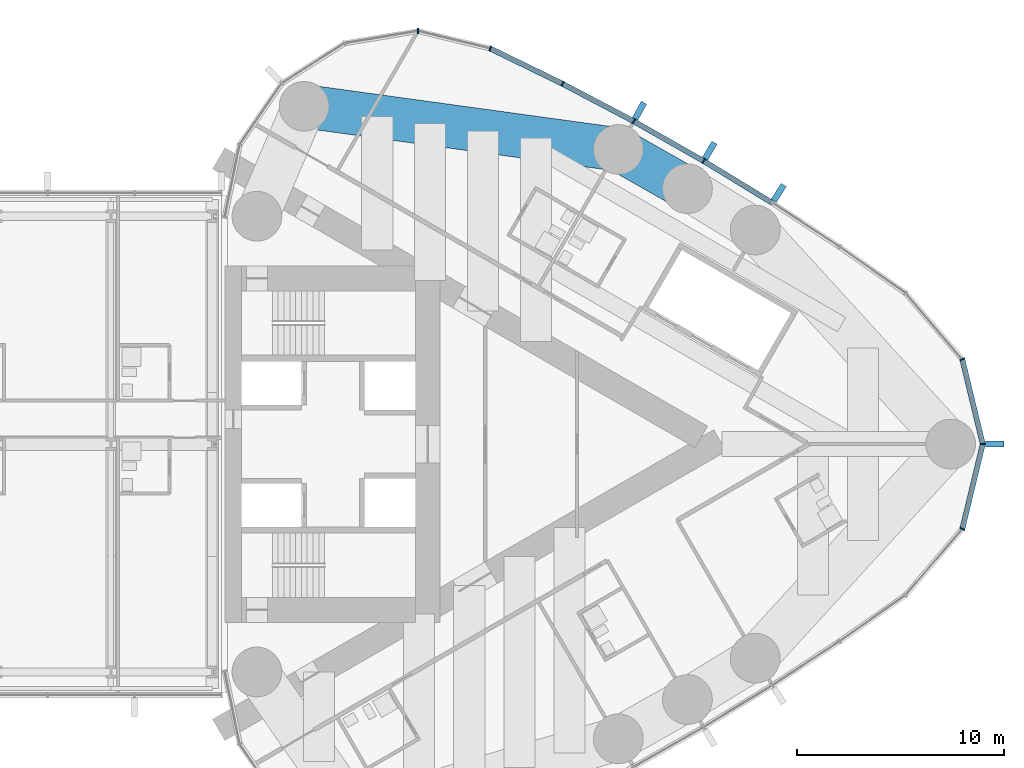
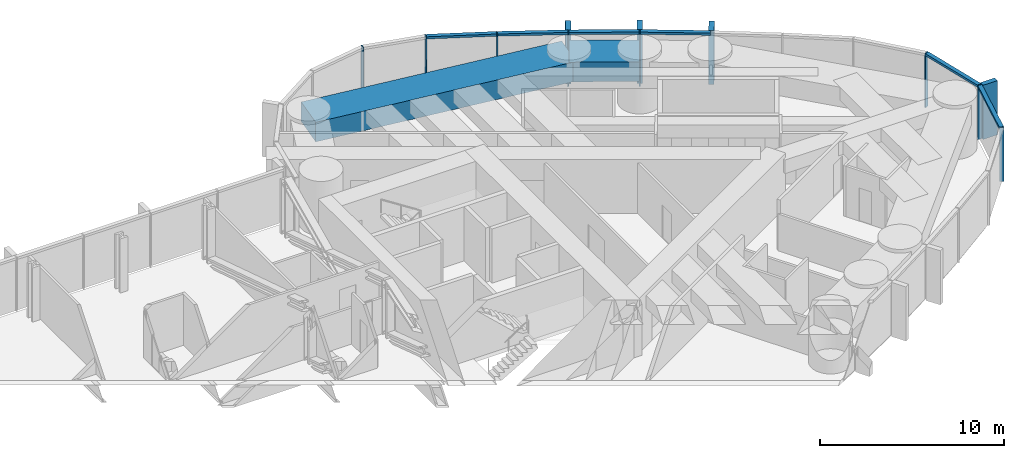
# One storey, part 11 of 22: 18 members, 2 beams, 1 element without a shape of its own.
"""IFC4 building model written with IfcOpenShell, lengths in metres."""

from ifc_helpers import new_model, si_unit, direction, frame, origin, origin_2d, place, context, subcontext, project, spatial, rectangle, extrude, material, material_profile, profile_set, type_object, element, aggregate, save


model = new_model("IFC4")

# Units and contexts
model_context = context("Model", 3, precision=1e-05, world=origin(), true_north=direction((0.0, 1.0)))
body_context = subcontext(model_context, "Body", "Model", "MODEL_VIEW")
ifc_project = project(units=[si_unit("LENGTHUNIT", "METRE"), si_unit("AREAUNIT", "SQUARE_METRE"), si_unit("VOLUMEUNIT", "CUBIC_METRE"), si_unit("PLANEANGLEUNIT", "RADIAN"), si_unit("MASSUNIT", "GRAM", prefix="KILO")], contexts=[model_context])

# Site, building, storey
site_placement = place(None, origin())
site = spatial("IfcSite", under=ifc_project, at=site_placement, CompositionType="ELEMENT")
building_placement = place(site_placement, origin())
building = spatial("IfcBuilding", under=site, at=building_placement, Name="Lancet Gate Hotel", CompositionType="ELEMENT")
storey_placement = place(building_placement, frame((0.0, 0.0, 229.699951171875)))
storey = spatial("IfcBuildingStorey", under=building, at=storey_placement, Name="L61", CompositionType="ELEMENT", Elevation=229.699951171875)

# Curtain wall, members
ifc_material_1 = material(Name="Aluminium curtain wall", Category="aluminium")
curtain_wall_type = type_object("IfcCurtainWallType", Name="Tower unitised curtain wall", PredefinedType="USERDEFINED", material=ifc_material_1)
curtain_wall_placement = place(storey_placement, origin())
curtain_wall = element("IfcCurtainWall", 1, at=curtain_wall_placement, inside=storey, type_object=curtain_wall_type, Name="T2 L61 curtain wall 1", ObjectType="UNITISED CURTAIN WALL", PredefinedType="USERDEFINED")
ifc_material_2 = material(Name="Aluminium mullion", Category="aluminium")
ifc_material_profile_1 = material_profile(ifc_material_2, rectangle(XDim=0.06494140625, YDim=0.25, at=origin_2d()), Name="MULLION 65x250")
ifc_profile_set_1 = profile_set([ifc_material_profile_1], Name="Aluminium mullion")
member_type_1 = type_object("IfcMemberType", Name="Aluminium mullion 65x250", PredefinedType="MULLION", material=ifc_profile_set_1)
member_1_placement = place(storey_placement, frame((63.1064453125, -4.09375, 0.0), z_axis=(0.0, 0.0, 1.0), x_axis=(0.454852851296, 0.890566608215, 0.0)))
member_1 = element("IfcMember", 2, at=member_1_placement, type_object=member_type_1, Name="T2 L61 curtain wall 1 mullion 13", PredefinedType="MULLION", context=body_context, shape_type="SweptSolid", body=[
    extrude(rectangle(XDim=0.06494140625, YDim=0.25, at=origin_2d()), origin(), (0.0, 0.0, 1.0), 3.60009765625),
])
member_2_placement = place(storey_placement, frame((64.09130859375, 0.0, 0.0), z_axis=(0.0, 0.0, 1.0), x_axis=(0.0, 1.0, 0.0)))
member_2 = element("IfcMember", 3, at=member_2_placement, type_object=member_type_1, Name="T2 L61 curtain wall 1 mullion 14", PredefinedType="MULLION", context=body_context, shape_type="SweptSolid", body=[
    extrude(rectangle(XDim=0.06494140625, YDim=0.25, at=origin_2d()), origin(), (0.0, 0.0, 1.0), 3.60009765625),
])
member_3_placement = place(storey_placement, frame((63.1064453125, 4.09375, 0.0), z_axis=(0.0, 0.0, 1.0), x_axis=(-0.454852851296, 0.890566608215, 0.0)))
member_3 = element("IfcMember", 4, at=member_3_placement, type_object=member_type_1, Name="T2 L61 curtain wall 1 mullion 15", PredefinedType="MULLION", context=body_context, shape_type="SweptSolid", body=[
    extrude(rectangle(XDim=0.06494140625, YDim=0.25, at=origin_2d()), origin(), (0.0, 0.0, 1.0), 3.60009765625),
])
member_4_placement = place(storey_placement, frame((50.62060546875, 13.667236328125, 0.0), z_axis=(0.0, 0.0, 1.0), x_axis=(-0.861691755738, 0.507432082247, 0.0)))
member_4 = element("IfcMember", 5, at=member_4_placement, type_object=member_type_1, Name="T2 L61 curtain wall 1 mullion 19", PredefinedType="MULLION", context=body_context, shape_type="SweptSolid", body=[
    extrude(rectangle(XDim=0.06494140625, YDim=0.25, at=origin_2d()), origin(), (0.0, 0.0, 1.0), 3.60009765625),
])
member_5_placement = place(storey_placement, frame((47.24365234375, 15.585205078125, 0.0), z_axis=(0.0, 0.0, 1.0), x_axis=(-0.877194589488, 0.480135035352, 0.0)))
member_5 = element("IfcMember", 6, at=member_5_placement, type_object=member_type_1, Name="T2 L61 curtain wall 1 mullion 20", PredefinedType="MULLION", context=body_context, shape_type="SweptSolid", body=[
    extrude(rectangle(XDim=0.06494140625, YDim=0.25, at=origin_2d()), origin(), (0.0, 0.0, 1.0), 3.60009765625),
])
member_6_placement = place(storey_placement, frame((43.80810546875, 17.396240234375, 0.0), z_axis=(0.0, 0.0, 1.0), x_axis=(-0.891832977257, 0.452364831389, 0.0)))
member_6 = element("IfcMember", 7, at=member_6_placement, type_object=member_type_1, Name="T2 L61 curtain wall 1 mullion 21", PredefinedType="MULLION", context=body_context, shape_type="SweptSolid", body=[
    extrude(rectangle(XDim=0.06494140625, YDim=0.25, at=origin_2d()), origin(), (0.0, 0.0, 1.0), 3.60009765625),
])
member_7_placement = place(storey_placement, frame((40.3173828125, 19.098388671875, 0.0), z_axis=(0.0, 0.0, 1.0), x_axis=(-0.939483740419, 0.342593493061, 0.0)))
member_7 = element("IfcMember", 8, at=member_7_placement, type_object=member_type_1, Name="T2 L61 curtain wall 1 mullion 22", PredefinedType="MULLION", context=body_context, shape_type="SweptSolid", body=[
    extrude(rectangle(XDim=0.06494140625, YDim=0.25, at=origin_2d()), origin(), (0.0, 0.0, 1.0), 3.60009765625),
])
member_8_placement = place(storey_placement, frame((36.826171875, 19.942138671875, 0.0), z_axis=(0.0, 0.0, 1.0), x_axis=(-0.999342744911, 0.03625021647, 0.0)))
member_8 = element("IfcMember", 9, at=member_8_placement, type_object=member_type_1, Name="T2 L61 curtain wall 1 mullion 23", PredefinedType="MULLION", context=body_context, shape_type="SweptSolid", body=[
    extrude(rectangle(XDim=0.06494140625, YDim=0.25, at=origin_2d()), origin(), (0.0, 0.0, 1.0), 3.60009765625),
])
ifc_material_3 = material(Name="Aluminium transom", Category="aluminium")
ifc_material_profile_2 = material_profile(ifc_material_3, rectangle(XDim=0.25, YDim=0.14990234375, at=origin_2d()), Name="TRANSOM 250x150")
ifc_profile_set_2 = profile_set([ifc_material_profile_2], Name="Aluminium transom")
member_type_2 = type_object("IfcMemberType", Name="Aluminium transom 250x150", PredefinedType="USERDEFINED", material=ifc_profile_set_2)
member_9_placement = place(storey_placement, frame((63.114013671875, -4.06201171875, 3.525146484375), z_axis=(0.233920855872, 0.972255641891, 0.0), x_axis=(-0.972255641891, 0.233920855872, 0.0)))
member_9 = element("IfcMember", 10, at=member_9_placement, type_object=member_type_2, Name="T2 L61 curtain wall 1 transom 13", ObjectType="TRANSOM", PredefinedType="USERDEFINED", context=body_context, shape_type="SweptSolid", body=[
    extrude(rectangle(XDim=0.25, YDim=0.14990234375, at=origin_2d()), origin(), (0.0, 0.0, 1.0), 4.1455078125),
])
member_10_placement = place(storey_placement, frame((64.083740234375, 0.031494140625, 3.525146484375), z_axis=(-0.233920855872, 0.972255641891, 0.0), x_axis=(-0.972255641891, -0.233920855872, 0.0)))
member_10 = element("IfcMember", 11, at=member_10_placement, type_object=member_type_2, Name="T2 L61 curtain wall 1 transom 14", ObjectType="TRANSOM", PredefinedType="USERDEFINED", context=body_context, shape_type="SweptSolid", body=[
    extrude(rectangle(XDim=0.25, YDim=0.14990234375, at=origin_2d()), origin(), (0.0, 0.0, 1.0), 4.1455078125),
])
member_11_placement = place(storey_placement, frame((53.907958984375, 11.661376953125, 3.525146484375), z_axis=(-0.853638798527, 0.520865435261, 0.0), x_axis=(-0.520865435261, -0.853638798527, 0.0)))
member_11 = element("IfcMember", 12, at=member_11_placement, type_object=member_type_2, Name="T2 L61 curtain wall 1 transom 18", ObjectType="TRANSOM", PredefinedType="USERDEFINED", context=body_context, shape_type="SweptSolid", body=[
    extrude(rectangle(XDim=0.25, YDim=0.14990234375, at=origin_2d()), origin(), (0.0, 0.0, 1.0), 3.818603515625),
])
member_12_placement = place(storey_placement, frame((50.59228515625, 13.683349609375, 3.525146484375), z_axis=(-0.869562011924, 0.493823761496, 0.0), x_axis=(-0.493823761496, -0.869562011924, 0.0)))
member_12 = element("IfcMember", 13, at=member_12_placement, type_object=member_type_2, Name="T2 L61 curtain wall 1 transom 19", ObjectType="TRANSOM", PredefinedType="USERDEFINED", context=body_context, shape_type="SweptSolid", body=[
    extrude(rectangle(XDim=0.25, YDim=0.14990234375, at=origin_2d()), origin(), (0.0, 0.0, 1.0), 3.818603515625),
])
member_13_placement = place(storey_placement, frame((47.21484375, 15.600341796875, 3.525146484375), z_axis=(-0.884618491031, 0.466315478325, 0.0), x_axis=(-0.466315478325, -0.884618491031, 0.0)))
member_13 = element("IfcMember", 14, at=member_13_placement, type_object=member_type_2, Name="T2 L61 curtain wall 1 transom 20", ObjectType="TRANSOM", PredefinedType="USERDEFINED", context=body_context, shape_type="SweptSolid", body=[
    extrude(rectangle(XDim=0.25, YDim=0.14990234375, at=origin_2d()), origin(), (0.0, 0.0, 1.0), 3.81884765625),
])
member_14_placement = place(storey_placement, frame((43.77880859375, 17.410400390625, 3.525146484375), z_axis=(-0.898820051991, 0.438317823206, 0.0), x_axis=(-0.438317823206, -0.898820051991, 0.0)))
member_14 = element("IfcMember", 15, at=member_14_placement, type_object=member_type_2, Name="T2 L61 curtain wall 1 transom 21", ObjectType="TRANSOM", PredefinedType="USERDEFINED", context=body_context, shape_type="SweptSolid", body=[
    extrude(rectangle(XDim=0.25, YDim=0.14990234375, at=origin_2d()), origin(), (0.0, 0.0, 1.0), 3.81884765625),
])

# Beams
ifc_material_4 = material(Name="Concrete C50/60", Category="concrete")
ifc_material_profile_3 = material_profile(ifc_material_4, rectangle(XDim=2.10009765625, YDim=1.300048828125, at=origin_2d()), Name="RC 2100x1300")
ifc_profile_set_3 = profile_set([ifc_material_profile_3], Name="Concrete C50/60")
beam_type = type_object("IfcBeamType", Name="Edge beam RC 2100x1300", PredefinedType="SPANDREL", material=ifc_profile_set_3)
beam_1_placement = place(storey_placement, frame((49.833984375, 12.331787109375, 2.699951171875), z_axis=(-0.869560321562, 0.493826738001, 0.0), x_axis=(-0.493826738001, -0.869560321562, 0.0)))
element("IfcBeam", 16, at=beam_1_placement, inside=storey, type_object=beam_type, Name="T2 edge beam EB1 L61", PredefinedType="SPANDREL", context=body_context, shape_type="SweptSolid", body=[
    extrude(rectangle(XDim=2.10009765625, YDim=1.300048828125, at=origin_2d()), origin(), (0.0, 0.0, 1.0), 3.8349609375),
])
beam_2_placement = place(storey_placement, frame((46.499267578125, 14.2255859375, 2.699951171875), z_axis=(-0.990685830783, 0.13616748762, 0.0), x_axis=(-0.13616748762, -0.990685830783, 0.0)))
element("IfcBeam", 17, at=beam_2_placement, inside=storey, type_object=beam_type, Name="T2 edge beam EB1 L61", PredefinedType="SPANDREL", context=body_context, shape_type="SweptSolid", body=[
    extrude(rectangle(XDim=2.10009765625, YDim=1.300048828125, at=origin_2d()), origin(), (0.0, 0.0, 1.0), 15.3134765625),
])

# Member
ifc_material_5 = material(Name="Precast concrete C50/60", Category="concrete")
ifc_material_profile_4 = material_profile(ifc_material_5, rectangle(XDim=0.300048828125, YDim=0.89990234375, at=origin_2d()), Name="FIN 300x900")
ifc_profile_set_4 = profile_set([ifc_material_profile_4], Name="Precast concrete C50/60")
member_type_3 = type_object("IfcMemberType", Name="Exposed concrete fin 300x900", PredefinedType="USERDEFINED", material=ifc_profile_set_4)
member_15_placement = place(storey_placement, frame((64.66650390625, 0.0, 0.0), z_axis=(0.0, 0.0, 1.0), x_axis=(0.0, 1.0, 0.0)))
member_15 = element("IfcMember", 18, at=member_15_placement, type_object=member_type_3, Name="T2 L61 curtain wall 1 fin 14", ObjectType="FIN", PredefinedType="USERDEFINED", context=body_context, shape_type="SweptSolid", body=[
    extrude(rectangle(XDim=0.300048828125, YDim=0.89990234375, at=origin_2d()), origin(), (0.0, 0.0, 1.0), 3.60009765625),
])

member_16_placement = place(storey_placement, frame((54.242919921875, 12.13037109375, 0.0), z_axis=(0.0, 0.0, 1.0), x_axis=(-0.845339753513, 0.534229071777, 0.0)))
member_16 = element("IfcMember", 19, at=member_16_placement, type_object=member_type_3, Name="T2 L61 curtain wall 1 fin 18", ObjectType="FIN", PredefinedType="USERDEFINED", context=body_context, shape_type="SweptSolid", body=[
    extrude(rectangle(XDim=0.300048828125, YDim=0.89990234375, at=origin_2d()), origin(), (0.0, 0.0, 1.0), 3.60009765625),
])

member_17_placement = place(storey_placement, frame((50.912353515625, 14.162841796875, 0.0), z_axis=(0.0, 0.0, 1.0), x_axis=(-0.861691755738, 0.507432082247, 0.0)))
member_17 = element("IfcMember", 20, at=member_17_placement, type_object=member_type_3, Name="T2 L61 curtain wall 1 fin 19", ObjectType="FIN", PredefinedType="USERDEFINED", context=body_context, shape_type="SweptSolid", body=[
    extrude(rectangle(XDim=0.300048828125, YDim=0.89990234375, at=origin_2d()), origin(), (0.0, 0.0, 1.0), 3.60009765625),
])

member_18_placement = place(storey_placement, frame((47.51953125, 16.089599609375, 0.0), z_axis=(0.0, 0.0, 1.0), x_axis=(-0.877194589488, 0.480135035352, 0.0)))
member_18 = element("IfcMember", 21, at=member_18_placement, type_object=member_type_3, Name="T2 L61 curtain wall 1 fin 20", ObjectType="FIN", PredefinedType="USERDEFINED", context=body_context, shape_type="SweptSolid", body=[
    extrude(rectangle(XDim=0.300048828125, YDim=0.89990234375, at=origin_2d()), origin(), (0.0, 0.0, 1.0), 3.60009765625),
])

aggregate(curtain_wall, [member_1, member_2, member_15, member_3, member_16, member_4, member_17, member_5, member_18, member_6, member_7, member_8, member_9, member_10, member_11, member_12, member_13, member_14])

save(model, "model.ifc")
